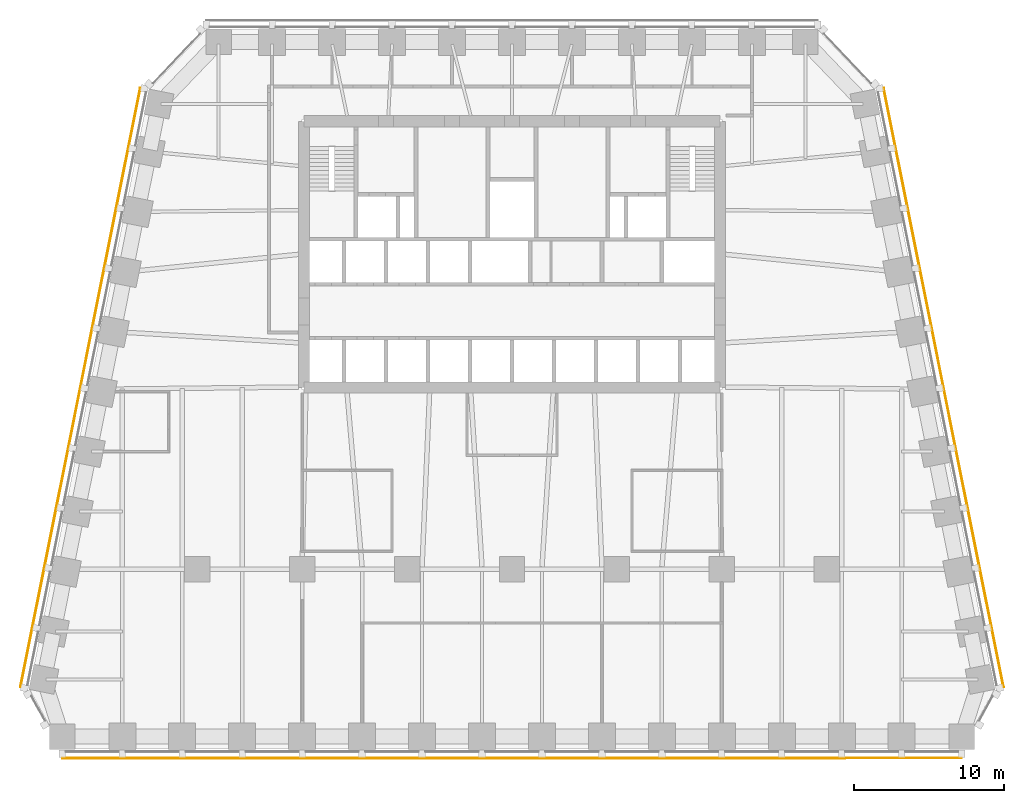
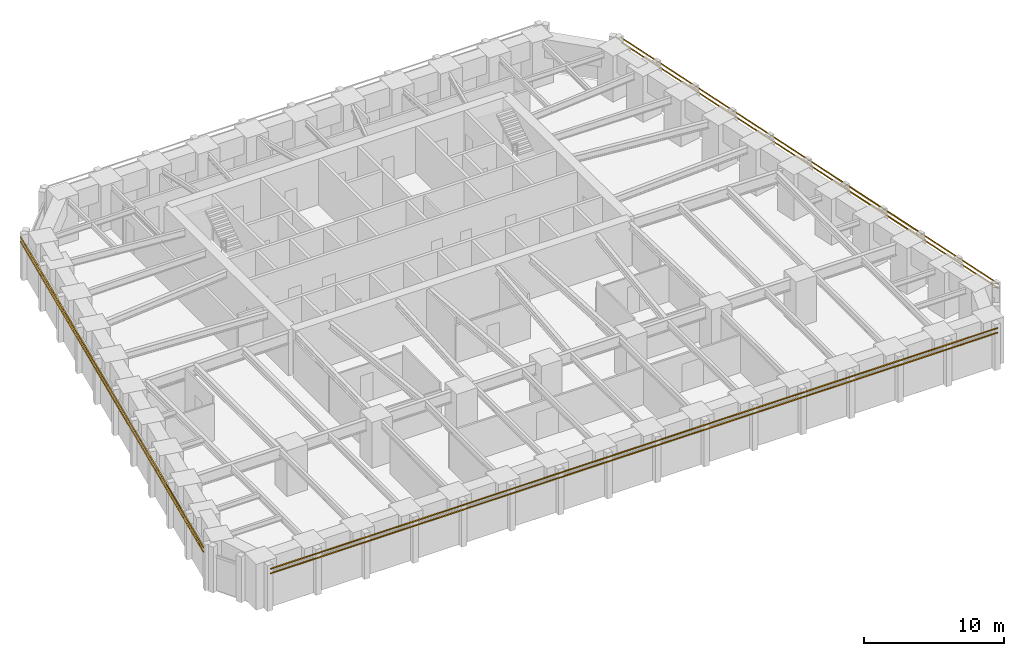
# One storey, part 8 of 9: 6 shading devices.
"""IFC4 building model written with IfcOpenShell, lengths in metres."""

from ifc_helpers import new_model, si_unit, direction, frame, origin, origin_2d, place, context, subcontext, project, spatial, rectangle, extrude, material, material_profile, profile_set, type_object, element, save


model = new_model("IFC4")

# Units and contexts
model_context = context("Model", 3, precision=1e-05, world=origin(), true_north=direction((0.0, 1.0)))
body_context = subcontext(model_context, "Body", "Model", "MODEL_VIEW")
ifc_project = project(units=[si_unit("LENGTHUNIT", "METRE"), si_unit("AREAUNIT", "SQUARE_METRE"), si_unit("VOLUMEUNIT", "CUBIC_METRE"), si_unit("PLANEANGLEUNIT", "RADIAN"), si_unit("MASSUNIT", "GRAM", prefix="KILO")], contexts=[model_context])

# Site, building, storey
site_placement = place(None, origin())
site = spatial("IfcSite", under=ifc_project, at=site_placement, CompositionType="ELEMENT")
building_placement = place(site_placement, origin())
building = spatial("IfcBuilding", under=site, at=building_placement, Name="Isbrekke Arena Tower", CompositionType="ELEMENT")
storey_placement = place(building_placement, frame((0.0, 0.0, 127.0)))
storey = spatial("IfcBuildingStorey", under=building, at=storey_placement, Name="L28", CompositionType="ELEMENT", Elevation=127.0)

# Shading devices
ifc_material = material(Name="Terracotta", Category="masonry")
ifc_material_profile = material_profile(ifc_material, rectangle(XDim=0.06005859375, YDim=0.06005859375, at=origin_2d()), Name="BAGUETTE 60X60")
ifc_profile_set = profile_set([ifc_material_profile], Name="Terracotta")
shading_device_type = type_object("IfcShadingDeviceType", Name="BG1 TERRACOTTA BAGUETTE 60 x 60", PredefinedType="USERDEFINED", material=ifc_profile_set)
for number, where, z_axis, x_axis, name in (
    (1, (-30.0, -18.60498046875, 3.280029296875), (1.0, 0.0, 0.0), (0.0, 1.0, 0.0), "BG1 terracotta baguette S1 L28"),
    (2, (-30.0, -18.60498046875, 3.679931640625), (1.0, 0.0, 0.0), (0.0, 1.0, 0.0), "BG1 terracotta baguette S2 L28"),
):
    element("IfcShadingDevice", number, at=place(storey_placement, frame(where, z_axis=z_axis, x_axis=x_axis)), inside=storey, type_object=shading_device_type, Name=name, ObjectType="TERRACOTTA BAGUETTE", PredefinedType="USERDEFINED", context=body_context, shape_type="SweptSolid", body=[
        extrude(rectangle(XDim=0.06005859375, YDim=0.06005859375, at=origin_2d()), origin(), (0.0, 0.0, 1.0), 60.0),
    ])
for number, where, z_axis, x_axis, name in (
    (3, (32.793212890625, -13.88134765625, 3.280029296875), (-0.196116135138, 0.980580675691, 0.0), (-0.980580675691, -0.196116135138, 0.0), "BG1 terracotta baguette E1 L28"),
    (4, (32.793212890625, -13.88134765625, 3.679931640625), (-0.196116135138, 0.980580675691, 0.0), (-0.980580675691, -0.196116135138, 0.0), "BG1 terracotta baguette E2 L28"),
    (5, (-24.793212890625, 26.11865234375, 3.280029296875), (-0.196116135138, -0.980580675691, 0.0), (0.980580675691, -0.196116135138, 0.0), "BG1 terracotta baguette W1 L28"),
    (6, (-24.793212890625, 26.11865234375, 3.679931640625), (-0.196116135138, -0.980580675691, 0.0), (0.980580675691, -0.196116135138, 0.0), "BG1 terracotta baguette W2 L28"),
):
    element("IfcShadingDevice", number, at=place(storey_placement, frame(where, z_axis=z_axis, x_axis=x_axis)), inside=storey, type_object=shading_device_type, Name=name, ObjectType="TERRACOTTA BAGUETTE", PredefinedType="USERDEFINED", context=body_context, shape_type="SweptSolid", body=[
        extrude(rectangle(XDim=0.06005859375, YDim=0.06005859375, at=origin_2d()), origin(), (0.0, 0.0, 1.0), 40.792236328125),
    ])

save(model, "model.ifc")
